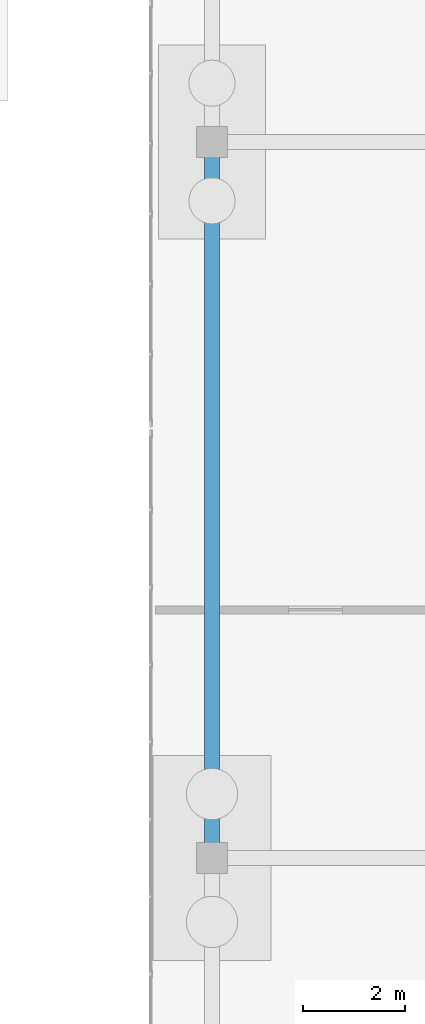
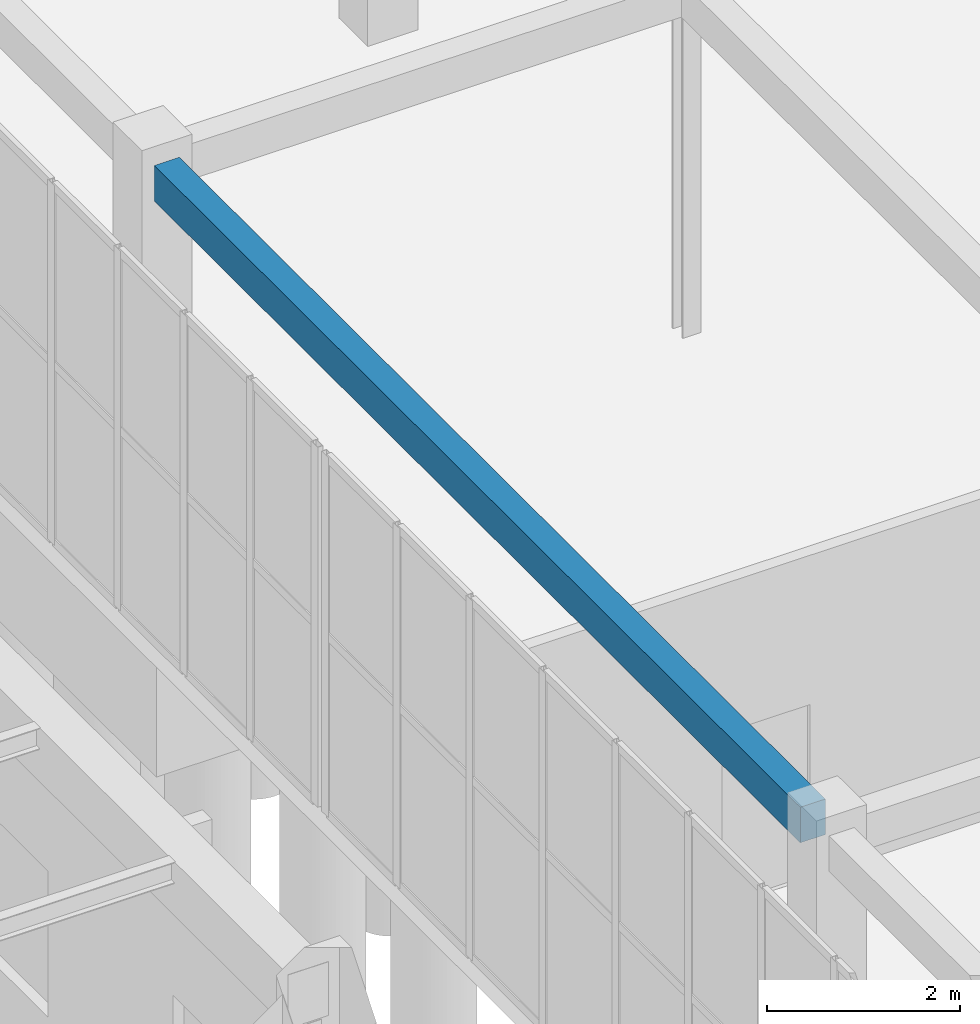
# One storey, part 83 of 192: 1 beam.
"""IFC4 building model written with IfcOpenShell, lengths in metres."""

from ifc_helpers import new_model, si_unit, direction, frame, origin, origin_2d, place, context, subcontext, project, spatial, rectangle, extrude, material, material_profile, profile_set, type_object, element, save


model = new_model("IFC4")

# Units and contexts
model_context = context("Model", 3, precision=1e-05, world=origin(), true_north=direction((0.0, 1.0)))
body_context = subcontext(model_context, "Body", "Model", "MODEL_VIEW")
ifc_project = project(units=[si_unit("LENGTHUNIT", "METRE"), si_unit("AREAUNIT", "SQUARE_METRE"), si_unit("VOLUMEUNIT", "CUBIC_METRE"), si_unit("PLANEANGLEUNIT", "RADIAN"), si_unit("MASSUNIT", "GRAM", prefix="KILO")], contexts=[model_context])

# Site, building, storey
site_placement = place(None, origin())
site = spatial("IfcSite", under=ifc_project, at=site_placement, CompositionType="ELEMENT")
building_placement = place(site_placement, origin())
building = spatial("IfcBuilding", under=site, at=building_placement, Name="Trelvath General Hospital", CompositionType="ELEMENT")
storey_placement = place(building_placement, origin())
storey = spatial("IfcBuildingStorey", under=building, at=storey_placement, Name="L00", CompositionType="ELEMENT", Elevation=0.0)

# Beam
ifc_material = material(Name="Concrete C35/45", Category="concrete")
ifc_material_profile = material_profile(ifc_material, rectangle(XDim=0.300048828125, YDim=0.449951171875, at=origin_2d()), Name="RCB300x450")
ifc_profile_set = profile_set([ifc_material_profile], Name="Concrete C35/45")
beam_type = type_object("IfcBeamType", Name="Beam RC300x450", PredefinedType="BEAM", material=ifc_profile_set)
beam_placement = place(storey_placement, frame((48.0, 59.095947265625, 4.3349609375), z_axis=(0.0, 1.0, 0.0), x_axis=(-1.0, 0.0, 0.0)))
element("IfcBeam", 1, at=beam_placement, inside=storey, type_object=beam_type, Name="Cube Interior Ring Beam CUBE-W-T0 L00", PredefinedType="BEAM", context=body_context, shape_type="SweptSolid", body=[
    extrude(rectangle(XDim=0.300048828125, YDim=0.449951171875, at=origin_2d()), origin(), (0.0, 0.0, 1.0), 13.407958984375),
])

save(model, "model.ifc")
